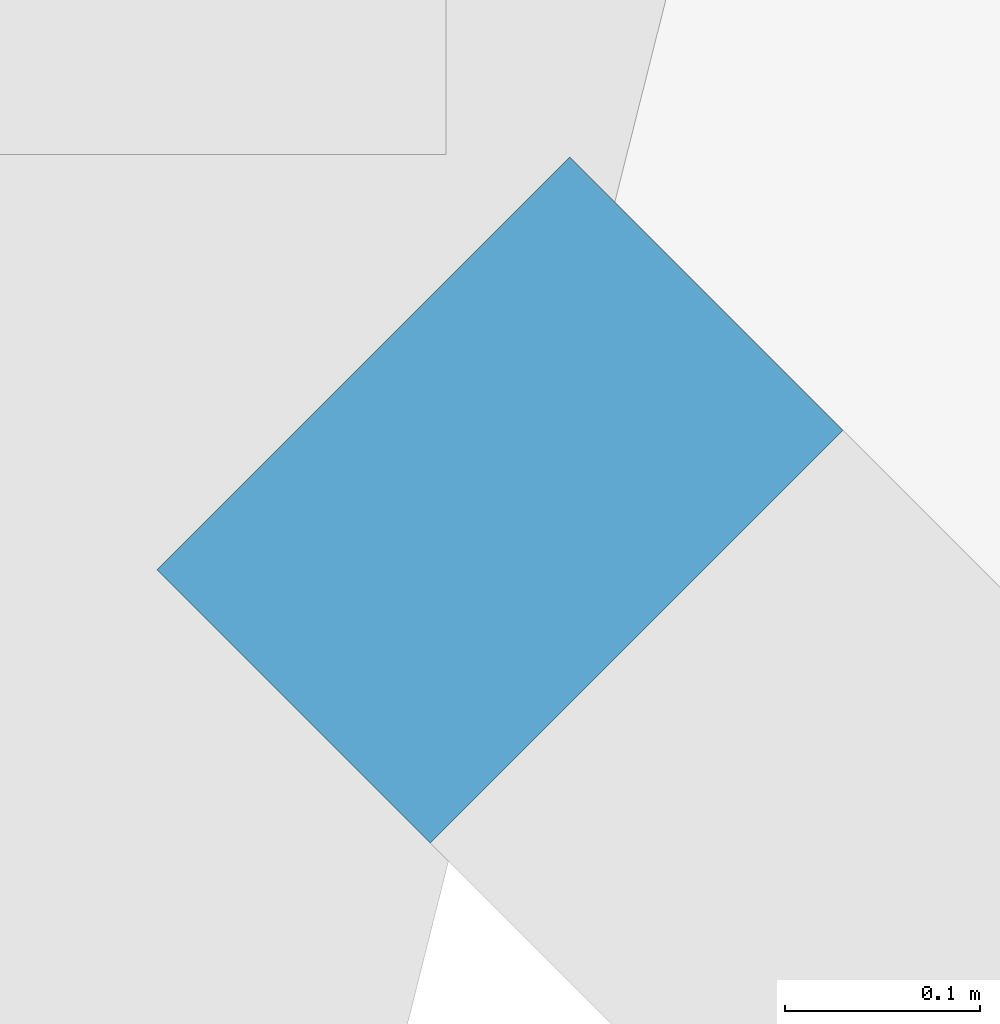
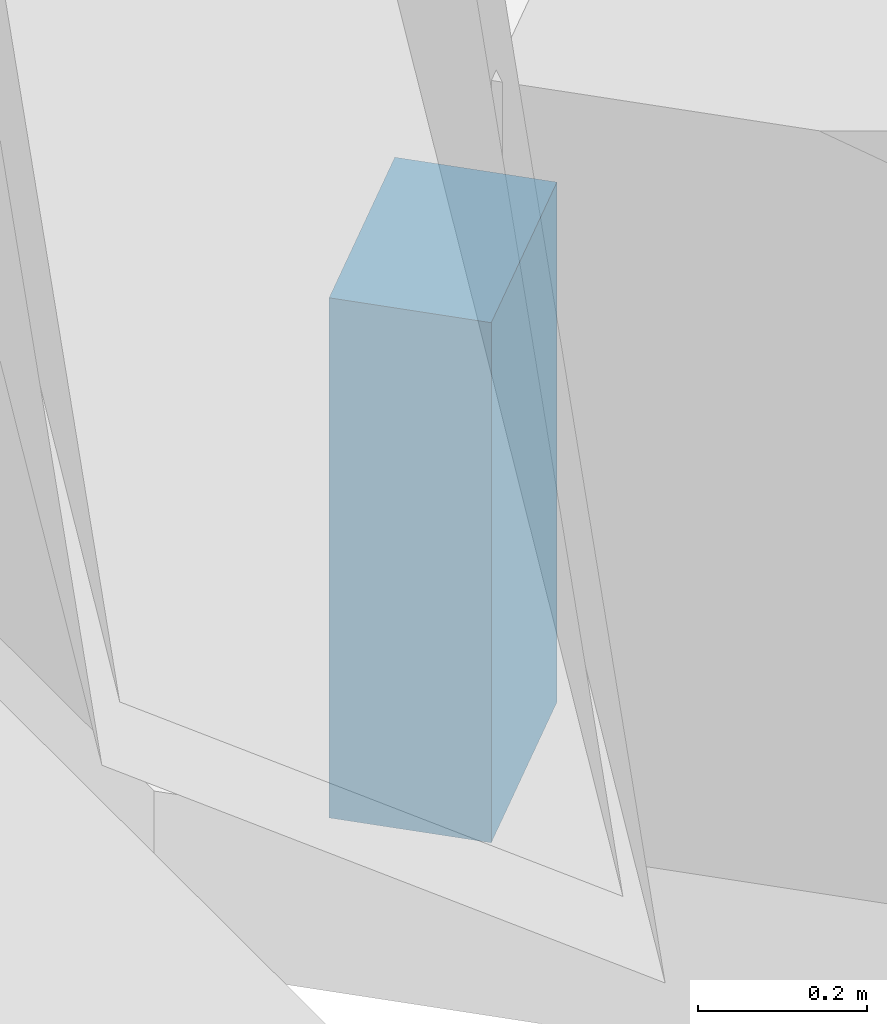
# One storey, part 17 of 22: 1 wall.
"""IFC4 building model written with IfcOpenShell, lengths in metres."""

from ifc_helpers import new_model, si_unit, direction, frame, frame_2d, origin, place, context, subcontext, project, spatial, rectangle, extrude, material, layer, layer_set, type_object, element, save


model = new_model("IFC4")

# Units and contexts
model_context = context("Model", 3, precision=1e-05, world=origin(), true_north=direction((0.0, 1.0)))
body_context = subcontext(model_context, "Body", "Model", "MODEL_VIEW")
ifc_project = project(units=[si_unit("LENGTHUNIT", "METRE"), si_unit("AREAUNIT", "SQUARE_METRE"), si_unit("VOLUMEUNIT", "CUBIC_METRE"), si_unit("PLANEANGLEUNIT", "RADIAN"), si_unit("MASSUNIT", "GRAM", prefix="KILO")], contexts=[model_context])

# Site, building, storey
site_placement = place(None, origin())
site = spatial("IfcSite", under=ifc_project, at=site_placement, CompositionType="ELEMENT")
building_placement = place(site_placement, origin())
building = spatial("IfcBuilding", under=site, at=building_placement, Name="Tuart Gate Housing", CompositionType="ELEMENT")
storey_placement = place(building_placement, frame((0.0, 0.0, 115.0)))
storey = spatial("IfcBuildingStorey", under=building, at=storey_placement, Name="L32", CompositionType="ELEMENT", Elevation=115.0)

# Wall
ifc_material = material(Name="Brick", Category="masonry")
ifc_layer = layer(ifc_material, 0.300048828125)
ifc_layer_set = layer_set([ifc_layer], Name="Brick parapet wall 300")
wall_type = type_object("IfcWallType", Name="Brick parapet wall 300", PredefinedType="PARAPET", material=ifc_layer_set)
wall_placement = place(storey_placement, frame((25.257568359375, 56.95458984375, 0.0), z_axis=(0.0, 0.0, 1.0), x_axis=(0.707106781187, -0.707106781187, 0.0)))
element("IfcWall", 1, at=wall_placement, inside=storey, type_object=wall_type, Name="Roof parapet A 4", PredefinedType="PARAPET", context=body_context, shape_type="SweptSolid", body=[
    extrude(rectangle(XDim=0.198486328125, YDim=0.300048828125, at=frame_2d((0.09912109375, 0.0))), origin(), (0.0, 0.0, 1.0), 0.75048828125),
])

save(model, "model.ifc")
